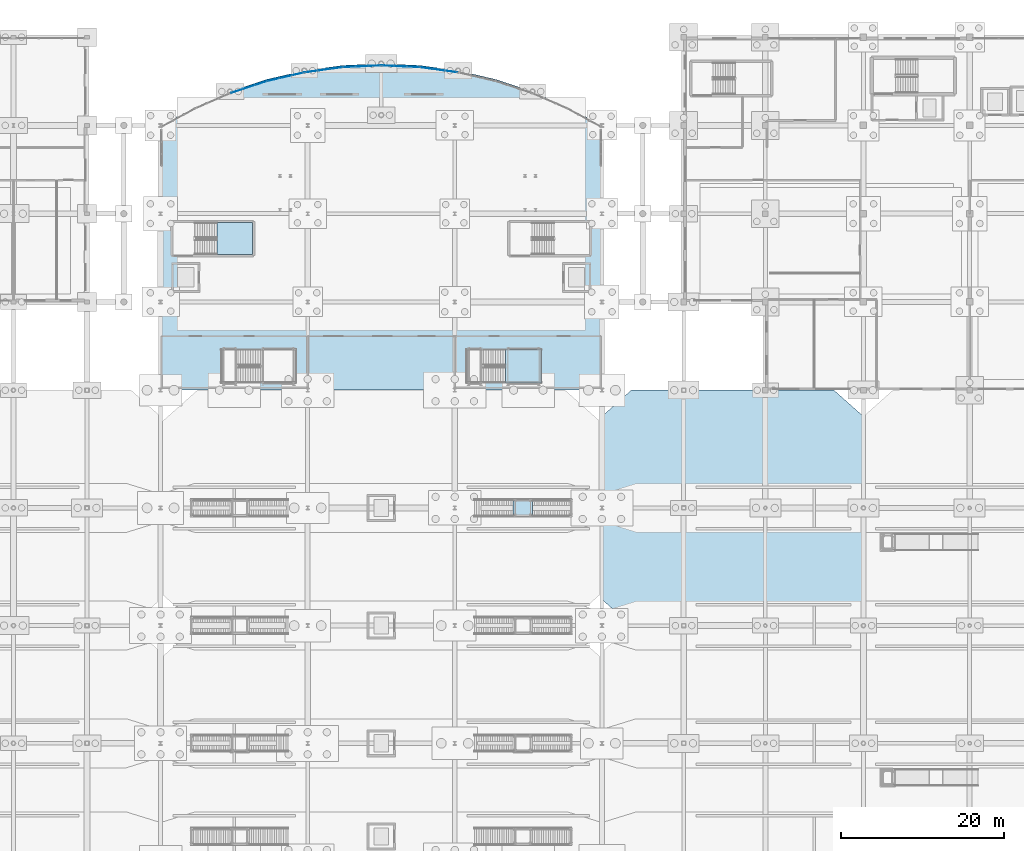
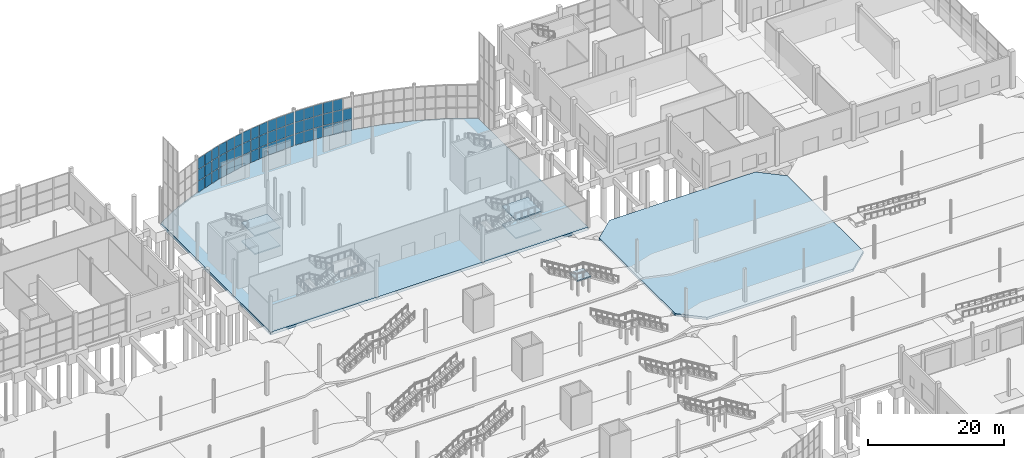
# One storey, part 81 of 115: 53 plates, 7 slabs, 9 elements without a shape of their own.
"""IFC4 building model written with IfcOpenShell, lengths in metres."""

from ifc_helpers import new_model, si_unit, direction, frame, origin, origin_2d, place, context, subcontext, project, spatial, polyline, rectangle, outline, extrude, material, layer, layer_set, type_object, element, aggregate, save


model = new_model("IFC4")

# Units and contexts
model_context = context("Model", 3, precision=1e-05, world=origin(), true_north=direction((0.0, 1.0)))
body_context = subcontext(model_context, "Body", "Model", "MODEL_VIEW")
ifc_project = project(units=[si_unit("LENGTHUNIT", "METRE"), si_unit("AREAUNIT", "SQUARE_METRE"), si_unit("VOLUMEUNIT", "CUBIC_METRE"), si_unit("PLANEANGLEUNIT", "RADIAN"), si_unit("MASSUNIT", "GRAM", prefix="KILO")], contexts=[model_context])

# Site, building, storey
site_placement = place(None, origin())
site = spatial("IfcSite", under=ifc_project, at=site_placement, CompositionType="ELEMENT")
building_placement = place(site_placement, origin())
building = spatial("IfcBuilding", under=site, at=building_placement, Name="Tamarisk Ironworks Central Station", CompositionType="ELEMENT")
storey_placement = place(building_placement, origin())
storey = spatial("IfcBuildingStorey", under=building, at=storey_placement, Name="L00", CompositionType="ELEMENT", Elevation=0.0)

# Curtain wall, plates
ifc_material_1 = material(Name="Anodized aluminium alloy 6063-T6", Category="aluminium")
ifc_layer_1 = layer(ifc_material_1, 0.179931640625)
ifc_layer_set_1 = layer_set([ifc_layer_1], Name="Anodized aluminium alloy 6063-T6")
curtain_wall_type = type_object("IfcCurtainWallType", Name="CW-01", PredefinedType="USERDEFINED", material=ifc_layer_set_1)
curtain_wall_1_placement = place(storey_placement, origin())
curtain_wall_1 = element("IfcCurtainWall", 1, at=curtain_wall_1_placement, inside=storey, type_object=curtain_wall_type, Name="NN rounded entrance hall L00 curtain wall bay 03", ObjectType="GLAZED CURTAIN WALL", PredefinedType="USERDEFINED")
ifc_material_2 = material(Name="Laminated solar-control low-E glass", Category="glass")
ifc_layer_2 = layer(ifc_material_2, 0.028076171875)
ifc_layer_set_2 = layer_set([ifc_layer_2], Name="Laminated solar-control low-E glass")
plate_type = type_object("IfcPlateType", Name="PL-CWP28", PredefinedType="CURTAIN_PANEL", material=ifc_layer_set_2)
plate_1_placement = place(storey_placement, frame((63.3291015625, 115.79833984375, 0.05908203125), z_axis=(0.0, 0.0, 1.0), x_axis=(0.949720671692, 0.313098460171, 0.0)))
plate_1 = element("IfcPlate", 2, at=plate_1_placement, type_object=plate_type, Name="CW01 panel 1.1", PredefinedType="CURTAIN_PANEL", context=body_context, shape_type="SweptSolid", body=[
    extrude(rectangle(XDim=1.484375, YDim=0.028076171875, at=origin_2d()), origin(), (0.0, 0.0, 1.0), 1.98779296875),
])
plate_2_placement = place(storey_placement, frame((63.3291015625, 115.79833984375, 2.099853515625), z_axis=(0.0, 0.0, 1.0), x_axis=(0.949720671692, 0.313098460171, 0.0)))
plate_2 = element("IfcPlate", 3, at=plate_2_placement, type_object=plate_type, Name="CW01 panel 1.2", PredefinedType="CURTAIN_PANEL", context=body_context, shape_type="SweptSolid", body=[
    extrude(rectangle(XDim=1.484375, YDim=0.028076171875, at=origin_2d()), origin(), (0.0, 0.0, 1.0), 2.0205078125),
])
plate_3_placement = place(storey_placement, frame((63.3291015625, 115.79833984375, 4.173095703125), z_axis=(0.0, 0.0, 1.0), x_axis=(0.949720671692, 0.313098460171, 0.0)))
plate_3 = element("IfcPlate", 4, at=plate_3_placement, type_object=plate_type, Name="CW01 panel 1.3", PredefinedType="CURTAIN_PANEL", context=body_context, shape_type="SweptSolid", body=[
    extrude(rectangle(XDim=1.484375, YDim=0.028076171875, at=origin_2d()), origin(), (0.0, 0.0, 1.0), 1.98779296875),
])
plate_4_placement = place(storey_placement, frame((64.8046875, 116.28466796875, 0.05908203125), z_axis=(0.0, 0.0, 1.0), x_axis=(0.949720671692, 0.313098460171, 0.0)))
plate_4 = element("IfcPlate", 5, at=plate_4_placement, type_object=plate_type, Name="CW01 panel 2.1", PredefinedType="CURTAIN_PANEL", context=body_context, shape_type="SweptSolid", body=[
    extrude(rectangle(XDim=1.516845703125, YDim=0.028076171875, at=origin_2d()), origin(), (0.0, 0.0, 1.0), 1.98779296875),
])
plate_5_placement = place(storey_placement, frame((64.8046875, 116.28466796875, 2.099853515625), z_axis=(0.0, 0.0, 1.0), x_axis=(0.949720671692, 0.313098460171, 0.0)))
plate_5 = element("IfcPlate", 6, at=plate_5_placement, type_object=plate_type, Name="CW01 panel 2.2", PredefinedType="CURTAIN_PANEL", context=body_context, shape_type="SweptSolid", body=[
    extrude(rectangle(XDim=1.516845703125, YDim=0.028076171875, at=origin_2d()), origin(), (0.0, 0.0, 1.0), 2.0205078125),
])
plate_6_placement = place(storey_placement, frame((64.8046875, 116.28466796875, 4.173095703125), z_axis=(0.0, 0.0, 1.0), x_axis=(0.949720671692, 0.313098460171, 0.0)))
plate_6 = element("IfcPlate", 7, at=plate_6_placement, type_object=plate_type, Name="CW01 panel 2.3", PredefinedType="CURTAIN_PANEL", context=body_context, shape_type="SweptSolid", body=[
    extrude(rectangle(XDim=1.516845703125, YDim=0.028076171875, at=origin_2d()), origin(), (0.0, 0.0, 1.0), 1.98779296875),
])
plate_7_placement = place(storey_placement, frame((66.2802734375, 116.771240234375, 0.05908203125), z_axis=(0.0, 0.0, 1.0), x_axis=(0.949720671692, 0.313098460171, 0.0)))
plate_7 = element("IfcPlate", 8, at=plate_7_placement, type_object=plate_type, Name="CW01 panel 3.1", PredefinedType="CURTAIN_PANEL", context=body_context, shape_type="SweptSolid", body=[
    extrude(rectangle(XDim=1.484375, YDim=0.028076171875, at=origin_2d()), origin(), (0.0, 0.0, 1.0), 1.98779296875),
])
plate_8_placement = place(storey_placement, frame((66.2802734375, 116.771240234375, 2.099853515625), z_axis=(0.0, 0.0, 1.0), x_axis=(0.949720671692, 0.313098460171, 0.0)))
plate_8 = element("IfcPlate", 9, at=plate_8_placement, type_object=plate_type, Name="CW01 panel 3.2", PredefinedType="CURTAIN_PANEL", context=body_context, shape_type="SweptSolid", body=[
    extrude(rectangle(XDim=1.484375, YDim=0.028076171875, at=origin_2d()), origin(), (0.0, 0.0, 1.0), 2.0205078125),
])
plate_9_placement = place(storey_placement, frame((66.2802734375, 116.771240234375, 4.173095703125), z_axis=(0.0, 0.0, 1.0), x_axis=(0.949720671692, 0.313098460171, 0.0)))
plate_9 = element("IfcPlate", 10, at=plate_9_placement, type_object=plate_type, Name="CW01 panel 3.3", PredefinedType="CURTAIN_PANEL", context=body_context, shape_type="SweptSolid", body=[
    extrude(rectangle(XDim=1.484375, YDim=0.028076171875, at=origin_2d()), origin(), (0.0, 0.0, 1.0), 1.98779296875),
])
aggregate(curtain_wall_1, [plate_1, plate_2, plate_3, plate_4, plate_5, plate_6, plate_7, plate_8, plate_9])

curtain_wall_2_placement = place(storey_placement, origin())
curtain_wall_2 = element("IfcCurtainWall", 11, at=curtain_wall_2_placement, inside=storey, type_object=curtain_wall_type, Name="NN rounded entrance hall L00 curtain wall bay 04", ObjectType="GLAZED CURTAIN WALL", PredefinedType="USERDEFINED")
plate_10_placement = place(storey_placement, frame((67.821533203125, 117.20263671875, 0.05908203125), z_axis=(0.0, 0.0, 1.0), x_axis=(0.974239240545, 0.225516966506, 0.0)))
plate_10 = element("IfcPlate", 12, at=plate_10_placement, type_object=plate_type, Name="CW01 panel 1.1", PredefinedType="CURTAIN_PANEL", context=body_context, shape_type="SweptSolid", body=[
    extrude(rectangle(XDim=1.484375, YDim=0.028076171875, at=origin_2d()), origin(), (0.0, 0.0, 1.0), 1.98779296875),
])
plate_11_placement = place(storey_placement, frame((67.821533203125, 117.20263671875, 2.099853515625), z_axis=(0.0, 0.0, 1.0), x_axis=(0.974239240545, 0.225516966506, 0.0)))
plate_11 = element("IfcPlate", 13, at=plate_11_placement, type_object=plate_type, Name="CW01 panel 1.2", PredefinedType="CURTAIN_PANEL", context=body_context, shape_type="SweptSolid", body=[
    extrude(rectangle(XDim=1.484375, YDim=0.028076171875, at=origin_2d()), origin(), (0.0, 0.0, 1.0), 2.0205078125),
])
plate_12_placement = place(storey_placement, frame((67.821533203125, 117.20263671875, 4.173095703125), z_axis=(0.0, 0.0, 1.0), x_axis=(0.974239240545, 0.225516966506, 0.0)))
plate_12 = element("IfcPlate", 14, at=plate_12_placement, type_object=plate_type, Name="CW01 panel 1.3", PredefinedType="CURTAIN_PANEL", context=body_context, shape_type="SweptSolid", body=[
    extrude(rectangle(XDim=1.484375, YDim=0.028076171875, at=origin_2d()), origin(), (0.0, 0.0, 1.0), 1.98779296875),
])
plate_13_placement = place(storey_placement, frame((69.335205078125, 117.552978515625, 0.05908203125), z_axis=(0.0, 0.0, 1.0), x_axis=(0.974239240545, 0.225516966506, 0.0)))
plate_13 = element("IfcPlate", 15, at=plate_13_placement, type_object=plate_type, Name="CW01 panel 2.1", PredefinedType="CURTAIN_PANEL", context=body_context, shape_type="SweptSolid", body=[
    extrude(rectangle(XDim=1.516845703125, YDim=0.028076171875, at=origin_2d()), origin(), (0.0, 0.0, 1.0), 1.98779296875),
])
plate_14_placement = place(storey_placement, frame((69.335205078125, 117.552978515625, 2.099853515625), z_axis=(0.0, 0.0, 1.0), x_axis=(0.974239240545, 0.225516966506, 0.0)))
plate_14 = element("IfcPlate", 16, at=plate_14_placement, type_object=plate_type, Name="CW01 panel 2.2", PredefinedType="CURTAIN_PANEL", context=body_context, shape_type="SweptSolid", body=[
    extrude(rectangle(XDim=1.516845703125, YDim=0.028076171875, at=origin_2d()), origin(), (0.0, 0.0, 1.0), 2.0205078125),
])
plate_15_placement = place(storey_placement, frame((69.335205078125, 117.552978515625, 4.173095703125), z_axis=(0.0, 0.0, 1.0), x_axis=(0.974239240545, 0.225516966506, 0.0)))
plate_15 = element("IfcPlate", 17, at=plate_15_placement, type_object=plate_type, Name="CW01 panel 2.3", PredefinedType="CURTAIN_PANEL", context=body_context, shape_type="SweptSolid", body=[
    extrude(rectangle(XDim=1.516845703125, YDim=0.028076171875, at=origin_2d()), origin(), (0.0, 0.0, 1.0), 1.98779296875),
])
plate_16_placement = place(storey_placement, frame((70.848876953125, 117.9033203125, 0.05908203125), z_axis=(0.0, 0.0, 1.0), x_axis=(0.974239240545, 0.225516966506, 0.0)))
plate_16 = element("IfcPlate", 18, at=plate_16_placement, type_object=plate_type, Name="CW01 panel 3.1", PredefinedType="CURTAIN_PANEL", context=body_context, shape_type="SweptSolid", body=[
    extrude(rectangle(XDim=1.484375, YDim=0.028076171875, at=origin_2d()), origin(), (0.0, 0.0, 1.0), 1.98779296875),
])
plate_17_placement = place(storey_placement, frame((70.848876953125, 117.9033203125, 2.099853515625), z_axis=(0.0, 0.0, 1.0), x_axis=(0.974239240545, 0.225516966506, 0.0)))
plate_17 = element("IfcPlate", 19, at=plate_17_placement, type_object=plate_type, Name="CW01 panel 3.2", PredefinedType="CURTAIN_PANEL", context=body_context, shape_type="SweptSolid", body=[
    extrude(rectangle(XDim=1.484375, YDim=0.028076171875, at=origin_2d()), origin(), (0.0, 0.0, 1.0), 2.0205078125),
])
plate_18_placement = place(storey_placement, frame((70.848876953125, 117.9033203125, 4.173095703125), z_axis=(0.0, 0.0, 1.0), x_axis=(0.974239240545, 0.225516966506, 0.0)))
plate_18 = element("IfcPlate", 20, at=plate_18_placement, type_object=plate_type, Name="CW01 panel 3.3", PredefinedType="CURTAIN_PANEL", context=body_context, shape_type="SweptSolid", body=[
    extrude(rectangle(XDim=1.484375, YDim=0.028076171875, at=origin_2d()), origin(), (0.0, 0.0, 1.0), 1.98779296875),
])
aggregate(curtain_wall_2, [plate_10, plate_11, plate_12, plate_13, plate_14, plate_15, plate_16, plate_17, plate_18])

curtain_wall_3_placement = place(storey_placement, origin())
curtain_wall_3 = element("IfcCurtainWall", 21, at=curtain_wall_3_placement, inside=storey, type_object=curtain_wall_type, Name="NN rounded entrance hall L00 curtain wall bay 05", ObjectType="GLAZED CURTAIN WALL", PredefinedType="USERDEFINED")
plate_19_placement = place(storey_placement, frame((72.423095703125, 118.193115234375, 0.05908203125), z_axis=(0.0, 0.0, 1.0), x_axis=(0.990703108403, 0.136041725218, 0.0)))
plate_19 = element("IfcPlate", 22, at=plate_19_placement, type_object=plate_type, Name="CW01 panel 1.1", PredefinedType="CURTAIN_PANEL", context=body_context, shape_type="SweptSolid", body=[
    extrude(rectangle(XDim=1.484375, YDim=0.028076171875, at=origin_2d()), origin(), (0.0, 0.0, 1.0), 1.98779296875),
])
plate_20_placement = place(storey_placement, frame((72.423095703125, 118.193115234375, 2.099853515625), z_axis=(0.0, 0.0, 1.0), x_axis=(0.990703108403, 0.136041725218, 0.0)))
plate_20 = element("IfcPlate", 23, at=plate_20_placement, type_object=plate_type, Name="CW01 panel 1.2", PredefinedType="CURTAIN_PANEL", context=body_context, shape_type="SweptSolid", body=[
    extrude(rectangle(XDim=1.484375, YDim=0.028076171875, at=origin_2d()), origin(), (0.0, 0.0, 1.0), 2.0205078125),
])
plate_21_placement = place(storey_placement, frame((72.423095703125, 118.193115234375, 4.173095703125), z_axis=(0.0, 0.0, 1.0), x_axis=(0.990703108403, 0.136041725218, 0.0)))
plate_21 = element("IfcPlate", 24, at=plate_21_placement, type_object=plate_type, Name="CW01 panel 1.3", PredefinedType="CURTAIN_PANEL", context=body_context, shape_type="SweptSolid", body=[
    extrude(rectangle(XDim=1.484375, YDim=0.028076171875, at=origin_2d()), origin(), (0.0, 0.0, 1.0), 1.98779296875),
])
plate_22_placement = place(storey_placement, frame((73.96240234375, 118.404541015625, 0.05908203125), z_axis=(0.0, 0.0, 1.0), x_axis=(0.990703108403, 0.136041725218, 0.0)))
plate_22 = element("IfcPlate", 25, at=plate_22_placement, type_object=plate_type, Name="CW01 panel 2.1", PredefinedType="CURTAIN_PANEL", context=body_context, shape_type="SweptSolid", body=[
    extrude(rectangle(XDim=1.516845703125, YDim=0.028076171875, at=origin_2d()), origin(), (0.0, 0.0, 1.0), 1.98779296875),
])
plate_23_placement = place(storey_placement, frame((73.96240234375, 118.404541015625, 2.099853515625), z_axis=(0.0, 0.0, 1.0), x_axis=(0.990703108403, 0.136041725218, 0.0)))
plate_23 = element("IfcPlate", 26, at=plate_23_placement, type_object=plate_type, Name="CW01 panel 2.2", PredefinedType="CURTAIN_PANEL", context=body_context, shape_type="SweptSolid", body=[
    extrude(rectangle(XDim=1.516845703125, YDim=0.028076171875, at=origin_2d()), origin(), (0.0, 0.0, 1.0), 2.0205078125),
])
plate_24_placement = place(storey_placement, frame((73.96240234375, 118.404541015625, 4.173095703125), z_axis=(0.0, 0.0, 1.0), x_axis=(0.990703108403, 0.136041725218, 0.0)))
plate_24 = element("IfcPlate", 27, at=plate_24_placement, type_object=plate_type, Name="CW01 panel 2.3", PredefinedType="CURTAIN_PANEL", context=body_context, shape_type="SweptSolid", body=[
    extrude(rectangle(XDim=1.516845703125, YDim=0.028076171875, at=origin_2d()), origin(), (0.0, 0.0, 1.0), 1.98779296875),
])
plate_25_placement = place(storey_placement, frame((75.50146484375, 118.61572265625, 0.05908203125), z_axis=(0.0, 0.0, 1.0), x_axis=(0.990703108403, 0.136041725218, 0.0)))
plate_25 = element("IfcPlate", 28, at=plate_25_placement, type_object=plate_type, Name="CW01 panel 3.1", PredefinedType="CURTAIN_PANEL", context=body_context, shape_type="SweptSolid", body=[
    extrude(rectangle(XDim=1.484375, YDim=0.028076171875, at=origin_2d()), origin(), (0.0, 0.0, 1.0), 1.98779296875),
])
plate_26_placement = place(storey_placement, frame((75.50146484375, 118.61572265625, 2.099853515625), z_axis=(0.0, 0.0, 1.0), x_axis=(0.990703108403, 0.136041725218, 0.0)))
plate_26 = element("IfcPlate", 29, at=plate_26_placement, type_object=plate_type, Name="CW01 panel 3.2", PredefinedType="CURTAIN_PANEL", context=body_context, shape_type="SweptSolid", body=[
    extrude(rectangle(XDim=1.484375, YDim=0.028076171875, at=origin_2d()), origin(), (0.0, 0.0, 1.0), 2.0205078125),
])
plate_27_placement = place(storey_placement, frame((75.50146484375, 118.61572265625, 4.173095703125), z_axis=(0.0, 0.0, 1.0), x_axis=(0.990703108403, 0.136041725218, 0.0)))
plate_27 = element("IfcPlate", 30, at=plate_27_placement, type_object=plate_type, Name="CW01 panel 3.3", PredefinedType="CURTAIN_PANEL", context=body_context, shape_type="SweptSolid", body=[
    extrude(rectangle(XDim=1.484375, YDim=0.028076171875, at=origin_2d()), origin(), (0.0, 0.0, 1.0), 1.98779296875),
])
aggregate(curtain_wall_3, [plate_19, plate_20, plate_21, plate_22, plate_23, plate_24, plate_25, plate_26, plate_27])

curtain_wall_4_placement = place(storey_placement, origin())
curtain_wall_4 = element("IfcCurtainWall", 31, at=curtain_wall_4_placement, inside=storey, type_object=curtain_wall_type, Name="NN rounded entrance hall L00 curtain wall bay 06", ObjectType="GLAZED CURTAIN WALL", PredefinedType="USERDEFINED")
plate_28_placement = place(storey_placement, frame((77.095458984375, 118.76123046875, 0.05908203125), z_axis=(0.0, 0.0, 1.0), x_axis=(0.998965210312, 0.045480859558, 0.0)))
plate_28 = element("IfcPlate", 32, at=plate_28_placement, type_object=plate_type, Name="CW01 panel 1.1", PredefinedType="CURTAIN_PANEL", context=body_context, shape_type="SweptSolid", body=[
    extrude(rectangle(XDim=1.484375, YDim=0.028076171875, at=origin_2d()), origin(), (0.0, 0.0, 1.0), 1.98779296875),
])
plate_29_placement = place(storey_placement, frame((77.095458984375, 118.76123046875, 2.099853515625), z_axis=(0.0, 0.0, 1.0), x_axis=(0.998965210312, 0.045480859558, 0.0)))
plate_29 = element("IfcPlate", 33, at=plate_29_placement, type_object=plate_type, Name="CW01 panel 1.2", PredefinedType="CURTAIN_PANEL", context=body_context, shape_type="SweptSolid", body=[
    extrude(rectangle(XDim=1.484375, YDim=0.028076171875, at=origin_2d()), origin(), (0.0, 0.0, 1.0), 2.0205078125),
])
plate_30_placement = place(storey_placement, frame((77.095458984375, 118.76123046875, 4.173095703125), z_axis=(0.0, 0.0, 1.0), x_axis=(0.998965210312, 0.045480859558, 0.0)))
plate_30 = element("IfcPlate", 34, at=plate_30_placement, type_object=plate_type, Name="CW01 panel 1.3", PredefinedType="CURTAIN_PANEL", context=body_context, shape_type="SweptSolid", body=[
    extrude(rectangle(XDim=1.484375, YDim=0.028076171875, at=origin_2d()), origin(), (0.0, 0.0, 1.0), 1.98779296875),
])
plate_31_placement = place(storey_placement, frame((78.647705078125, 118.831787109375, 0.05908203125), z_axis=(0.0, 0.0, 1.0), x_axis=(0.998965210312, 0.045480859558, 0.0)))
plate_31 = element("IfcPlate", 35, at=plate_31_placement, type_object=plate_type, Name="CW01 panel 2.1", PredefinedType="CURTAIN_PANEL", context=body_context, shape_type="SweptSolid", body=[
    extrude(rectangle(XDim=1.516845703125, YDim=0.028076171875, at=origin_2d()), origin(), (0.0, 0.0, 1.0), 1.98779296875),
])
plate_32_placement = place(storey_placement, frame((78.647705078125, 118.831787109375, 2.099853515625), z_axis=(0.0, 0.0, 1.0), x_axis=(0.998965210312, 0.045480859558, 0.0)))
plate_32 = element("IfcPlate", 36, at=plate_32_placement, type_object=plate_type, Name="CW01 panel 2.2", PredefinedType="CURTAIN_PANEL", context=body_context, shape_type="SweptSolid", body=[
    extrude(rectangle(XDim=1.516845703125, YDim=0.028076171875, at=origin_2d()), origin(), (0.0, 0.0, 1.0), 2.0205078125),
])
plate_33_placement = place(storey_placement, frame((78.647705078125, 118.831787109375, 4.173095703125), z_axis=(0.0, 0.0, 1.0), x_axis=(0.998965210312, 0.045480859558, 0.0)))
plate_33 = element("IfcPlate", 37, at=plate_33_placement, type_object=plate_type, Name="CW01 panel 2.3", PredefinedType="CURTAIN_PANEL", context=body_context, shape_type="SweptSolid", body=[
    extrude(rectangle(XDim=1.516845703125, YDim=0.028076171875, at=origin_2d()), origin(), (0.0, 0.0, 1.0), 1.98779296875),
])
plate_34_placement = place(storey_placement, frame((80.19970703125, 118.902587890625, 0.05908203125), z_axis=(0.0, 0.0, 1.0), x_axis=(0.998965210312, 0.045480859558, 0.0)))
plate_34 = element("IfcPlate", 38, at=plate_34_placement, type_object=plate_type, Name="CW01 panel 3.1", PredefinedType="CURTAIN_PANEL", context=body_context, shape_type="SweptSolid", body=[
    extrude(rectangle(XDim=1.484375, YDim=0.028076171875, at=origin_2d()), origin(), (0.0, 0.0, 1.0), 1.98779296875),
])
plate_35_placement = place(storey_placement, frame((80.19970703125, 118.902587890625, 2.099853515625), z_axis=(0.0, 0.0, 1.0), x_axis=(0.998965210312, 0.045480859558, 0.0)))
plate_35 = element("IfcPlate", 39, at=plate_35_placement, type_object=plate_type, Name="CW01 panel 3.2", PredefinedType="CURTAIN_PANEL", context=body_context, shape_type="SweptSolid", body=[
    extrude(rectangle(XDim=1.484375, YDim=0.028076171875, at=origin_2d()), origin(), (0.0, 0.0, 1.0), 2.0205078125),
])
plate_36_placement = place(storey_placement, frame((80.19970703125, 118.902587890625, 4.173095703125), z_axis=(0.0, 0.0, 1.0), x_axis=(0.998965210312, 0.045480859558, 0.0)))
plate_36 = element("IfcPlate", 40, at=plate_36_placement, type_object=plate_type, Name="CW01 panel 3.3", PredefinedType="CURTAIN_PANEL", context=body_context, shape_type="SweptSolid", body=[
    extrude(rectangle(XDim=1.484375, YDim=0.028076171875, at=origin_2d()), origin(), (0.0, 0.0, 1.0), 1.98779296875),
])
aggregate(curtain_wall_4, [plate_28, plate_29, plate_30, plate_31, plate_32, plate_33, plate_34, plate_35, plate_36])

curtain_wall_5_placement = place(storey_placement, origin())
curtain_wall_5 = element("IfcCurtainWall", 41, at=curtain_wall_5_placement, inside=storey, type_object=curtain_wall_type, Name="NN rounded entrance hall L00 curtain wall bay 07", ObjectType="GLAZED CURTAIN WALL", PredefinedType="USERDEFINED")
plate_37_placement = place(storey_placement, frame((81.80029296875, 118.902587890625, 0.05908203125), z_axis=(0.0, 0.0, 1.0), x_axis=(0.998965210312, -0.045480859558, 0.0)))
plate_37 = element("IfcPlate", 42, at=plate_37_placement, type_object=plate_type, Name="CW01 panel 1.1", PredefinedType="CURTAIN_PANEL", context=body_context, shape_type="SweptSolid", body=[
    extrude(rectangle(XDim=1.484375, YDim=0.028076171875, at=origin_2d()), origin(), (0.0, 0.0, 1.0), 1.98779296875),
])
plate_38_placement = place(storey_placement, frame((81.80029296875, 118.902587890625, 2.099853515625), z_axis=(0.0, 0.0, 1.0), x_axis=(0.998965210312, -0.045480859558, 0.0)))
plate_38 = element("IfcPlate", 43, at=plate_38_placement, type_object=plate_type, Name="CW01 panel 1.2", PredefinedType="CURTAIN_PANEL", context=body_context, shape_type="SweptSolid", body=[
    extrude(rectangle(XDim=1.484375, YDim=0.028076171875, at=origin_2d()), origin(), (0.0, 0.0, 1.0), 2.0205078125),
])
plate_39_placement = place(storey_placement, frame((81.80029296875, 118.902587890625, 4.173095703125), z_axis=(0.0, 0.0, 1.0), x_axis=(0.998965210312, -0.045480859558, 0.0)))
plate_39 = element("IfcPlate", 44, at=plate_39_placement, type_object=plate_type, Name="CW01 panel 1.3", PredefinedType="CURTAIN_PANEL", context=body_context, shape_type="SweptSolid", body=[
    extrude(rectangle(XDim=1.484375, YDim=0.028076171875, at=origin_2d()), origin(), (0.0, 0.0, 1.0), 1.98779296875),
])
plate_40_placement = place(storey_placement, frame((83.352294921875, 118.831787109375, 0.05908203125), z_axis=(0.0, 0.0, 1.0), x_axis=(0.998965210312, -0.045480859558, 0.0)))
plate_40 = element("IfcPlate", 45, at=plate_40_placement, type_object=plate_type, Name="CW01 panel 2.1", PredefinedType="CURTAIN_PANEL", context=body_context, shape_type="SweptSolid", body=[
    extrude(rectangle(XDim=1.516845703125, YDim=0.028076171875, at=origin_2d()), origin(), (0.0, 0.0, 1.0), 1.98779296875),
])
plate_41_placement = place(storey_placement, frame((83.352294921875, 118.831787109375, 2.099853515625), z_axis=(0.0, 0.0, 1.0), x_axis=(0.998965210312, -0.045480859558, 0.0)))
plate_41 = element("IfcPlate", 46, at=plate_41_placement, type_object=plate_type, Name="CW01 panel 2.2", PredefinedType="CURTAIN_PANEL", context=body_context, shape_type="SweptSolid", body=[
    extrude(rectangle(XDim=1.516845703125, YDim=0.028076171875, at=origin_2d()), origin(), (0.0, 0.0, 1.0), 2.0205078125),
])
plate_42_placement = place(storey_placement, frame((83.352294921875, 118.831787109375, 4.173095703125), z_axis=(0.0, 0.0, 1.0), x_axis=(0.998965210312, -0.045480859558, 0.0)))
plate_42 = element("IfcPlate", 47, at=plate_42_placement, type_object=plate_type, Name="CW01 panel 2.3", PredefinedType="CURTAIN_PANEL", context=body_context, shape_type="SweptSolid", body=[
    extrude(rectangle(XDim=1.516845703125, YDim=0.028076171875, at=origin_2d()), origin(), (0.0, 0.0, 1.0), 1.98779296875),
])
plate_43_placement = place(storey_placement, frame((84.904541015625, 118.76123046875, 0.05908203125), z_axis=(0.0, 0.0, 1.0), x_axis=(0.998965210312, -0.045480859558, 0.0)))
plate_43 = element("IfcPlate", 48, at=plate_43_placement, type_object=plate_type, Name="CW01 panel 3.1", PredefinedType="CURTAIN_PANEL", context=body_context, shape_type="SweptSolid", body=[
    extrude(rectangle(XDim=1.484375, YDim=0.028076171875, at=origin_2d()), origin(), (0.0, 0.0, 1.0), 1.98779296875),
])
plate_44_placement = place(storey_placement, frame((84.904541015625, 118.76123046875, 2.099853515625), z_axis=(0.0, 0.0, 1.0), x_axis=(0.998965210312, -0.045480859558, 0.0)))
plate_44 = element("IfcPlate", 49, at=plate_44_placement, type_object=plate_type, Name="CW01 panel 3.2", PredefinedType="CURTAIN_PANEL", context=body_context, shape_type="SweptSolid", body=[
    extrude(rectangle(XDim=1.484375, YDim=0.028076171875, at=origin_2d()), origin(), (0.0, 0.0, 1.0), 2.0205078125),
])
plate_45_placement = place(storey_placement, frame((84.904541015625, 118.76123046875, 4.173095703125), z_axis=(0.0, 0.0, 1.0), x_axis=(0.998965210312, -0.045480859558, 0.0)))
plate_45 = element("IfcPlate", 50, at=plate_45_placement, type_object=plate_type, Name="CW01 panel 3.3", PredefinedType="CURTAIN_PANEL", context=body_context, shape_type="SweptSolid", body=[
    extrude(rectangle(XDim=1.484375, YDim=0.028076171875, at=origin_2d()), origin(), (0.0, 0.0, 1.0), 1.98779296875),
])
aggregate(curtain_wall_5, [plate_37, plate_38, plate_39, plate_40, plate_41, plate_42, plate_43, plate_44, plate_45])

curtain_wall_6_placement = place(storey_placement, origin())
curtain_wall_6 = element("IfcCurtainWall", 51, at=curtain_wall_6_placement, inside=storey, type_object=curtain_wall_type, Name="NN rounded entrance hall L00 curtain wall bay 08", ObjectType="GLAZED CURTAIN WALL", PredefinedType="USERDEFINED")
plate_46_placement = place(storey_placement, frame((86.49853515625, 118.61572265625, 0.05908203125), z_axis=(0.0, 0.0, 1.0), x_axis=(0.990703108403, -0.136041725218, 0.0)))
plate_46 = element("IfcPlate", 52, at=plate_46_placement, type_object=plate_type, Name="CW01 panel 1.1", PredefinedType="CURTAIN_PANEL", context=body_context, shape_type="SweptSolid", body=[
    extrude(rectangle(XDim=1.484375, YDim=0.028076171875, at=origin_2d()), origin(), (0.0, 0.0, 1.0), 1.98779296875),
])
plate_47_placement = place(storey_placement, frame((86.49853515625, 118.61572265625, 2.099853515625), z_axis=(0.0, 0.0, 1.0), x_axis=(0.990703108403, -0.136041725218, 0.0)))
plate_47 = element("IfcPlate", 53, at=plate_47_placement, type_object=plate_type, Name="CW01 panel 1.2", PredefinedType="CURTAIN_PANEL", context=body_context, shape_type="SweptSolid", body=[
    extrude(rectangle(XDim=1.484375, YDim=0.028076171875, at=origin_2d()), origin(), (0.0, 0.0, 1.0), 2.0205078125),
])
plate_48_placement = place(storey_placement, frame((86.49853515625, 118.61572265625, 4.173095703125), z_axis=(0.0, 0.0, 1.0), x_axis=(0.990703108403, -0.136041725218, 0.0)))
plate_48 = element("IfcPlate", 54, at=plate_48_placement, type_object=plate_type, Name="CW01 panel 1.3", PredefinedType="CURTAIN_PANEL", context=body_context, shape_type="SweptSolid", body=[
    extrude(rectangle(XDim=1.484375, YDim=0.028076171875, at=origin_2d()), origin(), (0.0, 0.0, 1.0), 1.98779296875),
])
plate_49_placement = place(storey_placement, frame((88.03759765625, 118.404541015625, 0.05908203125), z_axis=(0.0, 0.0, 1.0), x_axis=(0.990703108403, -0.136041725218, 0.0)))
plate_49 = element("IfcPlate", 55, at=plate_49_placement, type_object=plate_type, Name="CW01 panel 2.1", PredefinedType="CURTAIN_PANEL", context=body_context, shape_type="SweptSolid", body=[
    extrude(rectangle(XDim=1.516845703125, YDim=0.028076171875, at=origin_2d()), origin(), (0.0, 0.0, 1.0), 1.98779296875),
])
plate_50_placement = place(storey_placement, frame((88.03759765625, 118.404541015625, 2.099853515625), z_axis=(0.0, 0.0, 1.0), x_axis=(0.990703108403, -0.136041725218, 0.0)))
plate_50 = element("IfcPlate", 56, at=plate_50_placement, type_object=plate_type, Name="CW01 panel 2.2", PredefinedType="CURTAIN_PANEL", context=body_context, shape_type="SweptSolid", body=[
    extrude(rectangle(XDim=1.516845703125, YDim=0.028076171875, at=origin_2d()), origin(), (0.0, 0.0, 1.0), 2.0205078125),
])
plate_51_placement = place(storey_placement, frame((88.03759765625, 118.404541015625, 4.173095703125), z_axis=(0.0, 0.0, 1.0), x_axis=(0.990703108403, -0.136041725218, 0.0)))
plate_51 = element("IfcPlate", 57, at=plate_51_placement, type_object=plate_type, Name="CW01 panel 2.3", PredefinedType="CURTAIN_PANEL", context=body_context, shape_type="SweptSolid", body=[
    extrude(rectangle(XDim=1.516845703125, YDim=0.028076171875, at=origin_2d()), origin(), (0.0, 0.0, 1.0), 1.98779296875),
])
plate_52_placement = place(storey_placement, frame((89.576904296875, 118.193115234375, 0.05908203125), z_axis=(0.0, 0.0, 1.0), x_axis=(0.990703108403, -0.136041725218, 0.0)))
plate_52 = element("IfcPlate", 58, at=plate_52_placement, type_object=plate_type, Name="CW01 panel 3.1", PredefinedType="CURTAIN_PANEL", context=body_context, shape_type="SweptSolid", body=[
    extrude(rectangle(XDim=1.484375, YDim=0.028076171875, at=origin_2d()), origin(), (0.0, 0.0, 1.0), 1.98779296875),
])
plate_53_placement = place(storey_placement, frame((89.576904296875, 118.193115234375, 2.099853515625), z_axis=(0.0, 0.0, 1.0), x_axis=(0.990703108403, -0.136041725218, 0.0)))
plate_53 = element("IfcPlate", 59, at=plate_53_placement, type_object=plate_type, Name="CW01 panel 3.2", PredefinedType="CURTAIN_PANEL", context=body_context, shape_type="SweptSolid", body=[
    extrude(rectangle(XDim=1.484375, YDim=0.028076171875, at=origin_2d()), origin(), (0.0, 0.0, 1.0), 2.0205078125),
])
aggregate(curtain_wall_6, [plate_46, plate_47, plate_48, plate_49, plate_50, plate_51, plate_52, plate_53])

# Slabs
ifc_material_3 = material(Name="Concrete C40/50", Category="concrete")
ifc_layer_3 = layer(ifc_material_3, 0.449951171875)
ifc_layer_set_3 = layer_set([ifc_layer_3], Name="Concrete C40/50")
slab_type_1 = type_object("IfcSlabType", Name="SL-BS450", PredefinedType="BASESLAB", material=ifc_layer_set_3)
slab_1_placement = place(storey_placement, frame((0.0, 0.0, -0.449951171875)))
element("IfcSlab", 60, at=slab_1_placement, inside=storey, type_object=slab_type_1, Name="L00 Train Shed Structural Base Slab E3", PredefinedType="BASESLAB", context=body_context, shape_type="SweptSolid", body=[
    extrude(outline(polyline([(111.60009765625, 50.39990234375), (136.39990234375, 50.39990234375), (140.0, 53.60009765625), (140.0, 76.0), (136.39990234375, 79.199951171875), (111.60009765625, 79.199951171875), (108.0, 76.0), (108.0, 53.60009765625), (111.60009765625, 50.39990234375)])), origin(), (0.0, 0.0, 1.0), 0.449951171875),
])
ifc_layer_4 = layer(ifc_material_3, 0.5)
ifc_layer_set_4 = layer_set([ifc_layer_4], Name="Concrete C40/50")
slab_type_2 = type_object("IfcSlabType", Name="SL-BS500", PredefinedType="BASESLAB", material=ifc_layer_set_4)
slab_2_placement = place(storey_placement, frame((0.0, 0.0, -0.5)))
element("IfcSlab", 61, at=slab_2_placement, inside=storey, type_object=slab_type_2, Name="L00 North Rounded Entrance Ticket Hall Base Slab", PredefinedType="BASESLAB", context=body_context, shape_type="SweptSolid", body=[
    extrude(outline(polyline([(54.0, 79.199951171875), (108.0, 79.199951171875), (108.0, 111.60009765625), (103.85009765625, 113.86962890625), (99.51123046875, 115.752685546875), (95.01904296875, 117.233642578125), (90.410888671875, 118.30029296875), (85.72509765625, 118.94384765625), (81.0, 119.158935546875), (76.27490234375, 118.94384765625), (71.589111328125, 118.30029296875), (66.98095703125, 117.233642578125), (62.48876953125, 115.752685546875), (58.14990234375, 113.86962890625), (54.0, 111.60009765625), (54.0, 79.199951171875)])), origin(), (0.0, 0.0, 1.0), 0.5),
])

# Stair, slabs
ifc_material_4 = material(Name="Concrete C35/45", Category="concrete")
stair_type_1 = type_object("IfcStairType", Name="ST-HALL", PredefinedType="HALF_TURN_STAIR", material=ifc_material_4)
stair_1_placement = place(storey_placement, origin())
stair_1 = element("IfcStair", 62, at=stair_1_placement, inside=storey, type_object=stair_type_1, Name="L00 East Ticket Hall Grand Stair", PredefinedType="HALF_TURN_STAIR")
ifc_layer_5 = layer(ifc_material_4, 0.179931640625)
ifc_layer_set_5 = layer_set([ifc_layer_5], Name="Concrete C35/45")
slab_type_3 = type_object("IfcSlabType", Name="SL-LD180", PredefinedType="LANDING", material=ifc_layer_set_5)
slab_3_placement = place(storey_placement, frame((0.0, 0.0, 1.449951171875)))
slab_3 = element("IfcSlab", 63, at=slab_3_placement, type_object=slab_type_3, Name="ST-TH2 landing 1", PredefinedType="LANDING", context=body_context, shape_type="SweptSolid", body=[
    extrude(outline(polyline([(96.199951171875, 80.10009765625), (100.60009765625, 80.10009765625), (100.60009765625, 84.199951171875), (96.199951171875, 84.199951171875), (96.199951171875, 80.10009765625)])), origin(), (0.0, 0.0, 1.0), 0.199951171875),
])
slab_4_placement = place(storey_placement, frame((0.0, 0.0, 4.75)))
slab_4 = element("IfcSlab", 64, at=slab_4_placement, type_object=slab_type_3, Name="ST-TH2 landing 3", PredefinedType="LANDING", context=body_context, shape_type="SweptSolid", body=[
    extrude(outline(polyline([(96.199951171875, 80.10009765625), (100.60009765625, 80.10009765625), (100.60009765625, 84.199951171875), (96.199951171875, 84.199951171875), (96.199951171875, 80.10009765625)])), origin(), (0.0, 0.0, 1.0), 0.199951171875),
])
aggregate(stair_1, [slab_3, slab_4])

stair_type_2 = type_object("IfcStairType", Name="ST-CORE-B", PredefinedType="HALF_TURN_STAIR", material=ifc_material_4)
stair_2_placement = place(storey_placement, origin())
stair_2 = element("IfcStair", 65, at=stair_2_placement, inside=storey, type_object=stair_type_2, Name="L00 West Concourse Exit Stair Core 3", PredefinedType="HALF_TURN_STAIR")
ifc_layer_6 = layer(ifc_material_4, 0.215087890625)
ifc_layer_set_6 = layer_set([ifc_layer_6], Name="Concrete C35/45")
slab_type_4 = type_object("IfcSlabType", Name="SL-LD220", PredefinedType="LANDING", material=ifc_layer_set_6)
slab_5_placement = place(storey_placement, frame((0.0, 0.0, 1.449951171875)))
slab_5 = element("IfcSlab", 66, at=slab_5_placement, type_object=slab_type_4, Name="ST-C3 landing 1", PredefinedType="LANDING", context=body_context, shape_type="SweptSolid", body=[
    extrude(outline(polyline([(60.89990234375, 95.800048828125), (65.25, 95.800048828125), (65.25, 99.699951171875), (60.89990234375, 99.699951171875), (60.89990234375, 95.800048828125)])), origin(), (0.0, 0.0, 1.0), 0.199951171875),
])
slab_6_placement = place(storey_placement, frame((0.0, 0.0, 4.75)))
slab_6 = element("IfcSlab", 67, at=slab_6_placement, type_object=slab_type_4, Name="ST-C3 landing 3", PredefinedType="LANDING", context=body_context, shape_type="SweptSolid", body=[
    extrude(outline(polyline([(60.89990234375, 95.800048828125), (65.25, 95.800048828125), (65.25, 99.699951171875), (60.89990234375, 99.699951171875), (60.89990234375, 95.800048828125)])), origin(), (0.0, 0.0, 1.0), 0.199951171875),
])
aggregate(stair_2, [slab_5, slab_6])

# Stair, slab
stair_type_3 = type_object("IfcStairType", Name="ST-PLAT", PredefinedType="TWO_STRAIGHT_RUN_STAIR", material=ifc_material_4)
stair_3_placement = place(storey_placement, origin())
stair_3 = element("IfcStair", 68, at=stair_3_placement, inside=storey, type_object=stair_type_3, Name="Platform 4 Boarding Stair ST-P4B", PredefinedType="TWO_STRAIGHT_RUN_STAIR")
slab_7_placement = place(storey_placement, frame((0.0, 0.0, 3.445068359375)))
slab_7 = element("IfcSlab", 69, at=slab_7_placement, type_object=slab_type_4, Name="STP1 landing 1", PredefinedType="LANDING", context=body_context, shape_type="SweptSolid", body=[
    extrude(outline(polyline([(97.139892578125, 63.6201171875), (99.5, 63.6201171875), (99.5, 65.97998046875), (97.139892578125, 65.97998046875), (97.139892578125, 63.6201171875)])), origin(), (0.0, 0.0, 1.0), 0.21484375),
])
aggregate(stair_3, [slab_7])

save(model, "model.ifc")
